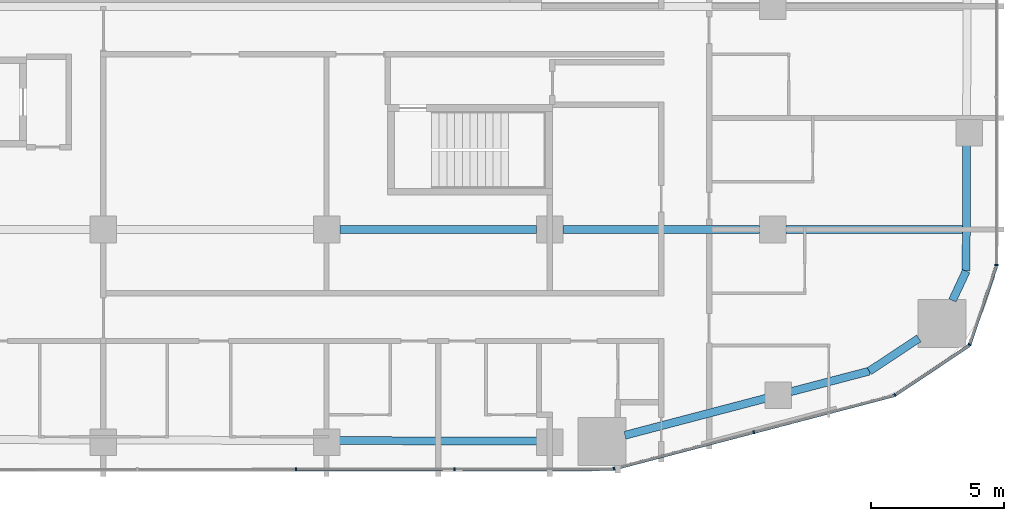
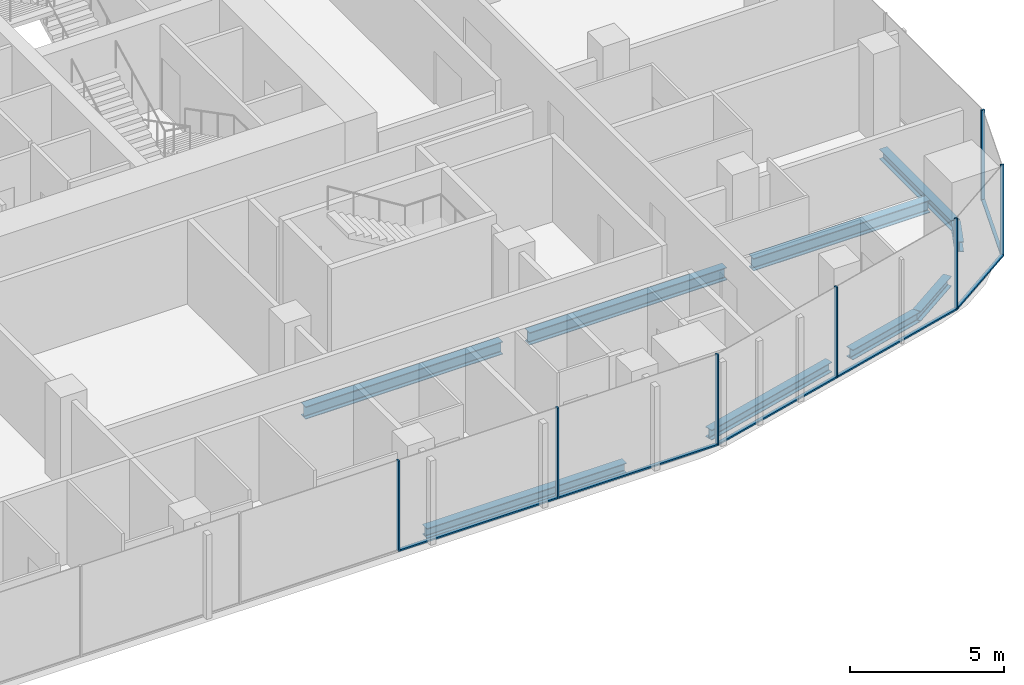
# One storey, part 6 of 26: 13 members, 9 beams, 5 elements without a shape of their own.
"""IFC4 building model written with IfcOpenShell, lengths in metres."""

from ifc_helpers import new_model, si_unit, direction, frame, origin, origin_2d, place, context, subcontext, project, spatial, rectangle, i_section, extrude, material, layer, layer_set, material_profile, profile_set, type_object, element, aggregate, save


model = new_model("IFC4")

# Units and contexts
model_context = context("Model", 3, precision=1e-05, world=origin(), true_north=direction((0.0, 1.0)))
body_context = subcontext(model_context, "Body", "Model", "MODEL_VIEW")
ifc_project = project(units=[si_unit("LENGTHUNIT", "METRE"), si_unit("AREAUNIT", "SQUARE_METRE"), si_unit("VOLUMEUNIT", "CUBIC_METRE"), si_unit("PLANEANGLEUNIT", "RADIAN"), si_unit("MASSUNIT", "GRAM", prefix="KILO")], contexts=[model_context])

# Site, building, storey
site_placement = place(None, origin())
site = spatial("IfcSite", under=ifc_project, at=site_placement, CompositionType="ELEMENT")
building_placement = place(site_placement, origin())
building = spatial("IfcBuilding", under=site, at=building_placement, Name="Marenta Gate Hotel Tower", CompositionType="ELEMENT")
storey_placement = place(building_placement, frame((0.0, 0.0, 72.5)))
storey = spatial("IfcBuildingStorey", under=building, at=storey_placement, Name="L16", CompositionType="ELEMENT", Elevation=72.5)

# Beams
ifc_material_1 = material(Name="Steel S355", Category="steel")
ifc_material_profile_1 = material_profile(ifc_material_1, i_section(OverallWidth=0.300048828125, OverallDepth=0.39990234375, WebThickness=0.013427734375, FlangeThickness=0.02392578125, FilletRadius=0.027099609375, at=origin_2d()), Name="HEB 400")
ifc_profile_set_1 = profile_set([ifc_material_profile_1], Name="Steel S355")
beam_type_1 = type_object("IfcBeamType", Name="Edge beam HEB 400", PredefinedType="SPANDREL", material=ifc_profile_set_1)
beam_1_placement = place(storey_placement, frame((28.291015625, -5.2119140625, -0.4599609375), z_axis=(-0.003337079684, -0.999994431934, 0.0), x_axis=(0.999994431934, -0.003337079684, 0.0)))
element("IfcBeam", 1, at=beam_1_placement, inside=storey, type_object=beam_type_1, Name="L16-EB-27", PredefinedType="SPANDREL", context=body_context, shape_type="SweptSolid", body=[
    extrude(i_section(OverallWidth=0.300048828125, OverallDepth=0.39990234375, WebThickness=0.013427734375, FlangeThickness=0.02392578125, FilletRadius=0.027099609375, at=origin_2d()), origin(), (0.0, 0.0, 1.0), 4.75537109375),
])
beam_2_placement = place(storey_placement, frame((28.275146484375, -9.96728515625, -0.4599609375), z_axis=(-0.423291965192, -0.905993329006, 0.0), x_axis=(0.905993329006, -0.423291965192, 0.0)))
element("IfcBeam", 2, at=beam_2_placement, inside=storey, type_object=beam_type_1, Name="L16-EB-28", PredefinedType="SPANDREL", context=body_context, shape_type="SweptSolid", body=[
    extrude(i_section(OverallWidth=0.300048828125, OverallDepth=0.39990234375, WebThickness=0.013427734375, FlangeThickness=0.02392578125, FilletRadius=0.027099609375, at=origin_2d()), origin(), (0.0, 0.0, 1.0), 1.21630859375),
])
beam_3_placement = place(storey_placement, frame((26.496337890625, -12.498291015625, -0.4599609375), z_axis=(-0.834510054819, -0.550992711754, 0.0), x_axis=(0.550992711754, -0.834510054819, 0.0)))
element("IfcBeam", 3, at=beam_3_placement, inside=storey, type_object=beam_type_1, Name="L16-EB-29", PredefinedType="SPANDREL", context=body_context, shape_type="SweptSolid", body=[
    extrude(i_section(OverallWidth=0.300048828125, OverallDepth=0.39990234375, WebThickness=0.013427734375, FlangeThickness=0.02392578125, FilletRadius=0.027099609375, at=origin_2d()), origin(), (0.0, 0.0, 1.0), 2.237060546875),
])
beam_4_placement = place(storey_placement, frame((24.62939453125, -13.73095703125, -0.4599609375), z_axis=(-0.967228272573, -0.253908386501, 0.0), x_axis=(0.253908386501, -0.967228272573, 0.0)))
element("IfcBeam", 4, at=beam_4_placement, inside=storey, type_object=beam_type_1, Name="L16-EB-30", PredefinedType="SPANDREL", context=body_context, shape_type="SweptSolid", body=[
    extrude(i_section(OverallWidth=0.300048828125, OverallDepth=0.39990234375, WebThickness=0.013427734375, FlangeThickness=0.02392578125, FilletRadius=0.027099609375, at=origin_2d()), origin(), (0.0, 0.0, 1.0), 3.0615234375),
])
beam_5_placement = place(storey_placement, frame((20.74560546875, -14.75048828125, -0.4599609375), z_axis=(-0.967231374294, -0.253896570638, 0.0), x_axis=(0.253896570638, -0.967231374294, 0.0)))
element("IfcBeam", 5, at=beam_5_placement, inside=storey, type_object=beam_type_1, Name="L16-EB-31", PredefinedType="SPANDREL", context=body_context, shape_type="SweptSolid", body=[
    extrude(i_section(OverallWidth=0.300048828125, OverallDepth=0.39990234375, WebThickness=0.013427734375, FlangeThickness=0.02392578125, FilletRadius=0.027099609375, at=origin_2d()), origin(), (0.0, 0.0, 1.0), 5.498291015625),
])
beam_6_placement = place(storey_placement, frame((12.139892578125, -16.365966796875, -0.4599609375), z_axis=(-0.99999624158, 0.002741683018, 0.0), x_axis=(-0.002741683018, -0.99999624158, 0.0)))
element("IfcBeam", 6, at=beam_6_placement, inside=storey, type_object=beam_type_1, Name="L16-EB-32", PredefinedType="SPANDREL", context=body_context, shape_type="SweptSolid", body=[
    extrude(i_section(OverallWidth=0.300048828125, OverallDepth=0.39990234375, WebThickness=0.013427734375, FlangeThickness=0.02392578125, FilletRadius=0.027099609375, at=origin_2d()), origin(), (0.0, 0.0, 1.0), 7.47998046875),
])
ifc_material_2 = material(Name="Steel S355", Category="steel")
ifc_material_profile_2 = material_profile(ifc_material_2, i_section(OverallWidth=0.300048828125, OverallDepth=0.5, WebThickness=0.014404296875, FlangeThickness=0.028076171875, FilletRadius=0.027099609375, at=origin_2d()), Name="HEB 500")
ifc_profile_set_2 = profile_set([ifc_material_profile_2], Name="Steel S355")
beam_type_2 = type_object("IfcBeamType", Name="Girder HEB 500", PredefinedType="BEAM", material=ifc_profile_set_2)
beam_7_placement = place(storey_placement, frame((4.699951171875, -8.39990234375, -0.510009765625), z_axis=(1.0, 0.0, 0.0), x_axis=(0.0, 1.0, 0.0)))
element("IfcBeam", 7, at=beam_7_placement, inside=storey, type_object=beam_type_2, Name="L16-GD-5", PredefinedType="BEAM", context=body_context, shape_type="SweptSolid", body=[
    extrude(i_section(OverallWidth=0.300048828125, OverallDepth=0.5, WebThickness=0.014404296875, FlangeThickness=0.028076171875, FilletRadius=0.027099609375, at=origin_2d()), origin(), (0.0, 0.0, 1.0), 7.400146484375),
])
beam_8_placement = place(storey_placement, frame((13.10009765625, -8.39990234375, -0.510009765625), z_axis=(1.0, 0.0, 0.0), x_axis=(0.0, 1.0, 0.0)))
element("IfcBeam", 8, at=beam_8_placement, inside=storey, type_object=beam_type_2, Name="L16-GD-6", PredefinedType="BEAM", context=body_context, shape_type="SweptSolid", body=[
    extrude(i_section(OverallWidth=0.300048828125, OverallDepth=0.5, WebThickness=0.014404296875, FlangeThickness=0.028076171875, FilletRadius=0.027099609375, at=origin_2d()), origin(), (0.0, 0.0, 1.0), 7.39990234375),
])
beam_9_placement = place(storey_placement, frame((21.5, -8.39990234375, -0.510009765625), z_axis=(1.0, 0.0, 0.0), x_axis=(0.0, 1.0, 0.0)))
element("IfcBeam", 9, at=beam_9_placement, inside=storey, type_object=beam_type_2, Name="L16-GD-7", PredefinedType="BEAM", context=body_context, shape_type="SweptSolid", body=[
    extrude(i_section(OverallWidth=0.300048828125, OverallDepth=0.5, WebThickness=0.014404296875, FlangeThickness=0.028076171875, FilletRadius=0.027099609375, at=origin_2d()), origin(), (0.0, 0.0, 1.0), 6.63037109375),
])

# Curtain wall, members
ifc_material_3 = material(Name="Tinted insulated glass in bronze anodised frame", Category="glass")
ifc_layer = layer(ifc_material_3, 0.1201171875)
ifc_layer_set = layer_set([ifc_layer], Name="Tinted insulated glass in bronze anodised frame")
curtain_wall_type = type_object("IfcCurtainWallType", Name="Tower unitised curtain wall CW1", PredefinedType="NOTDEFINED", material=ifc_layer_set)
curtain_wall_1_placement = place(storey_placement, origin())
curtain_wall_1 = element("IfcCurtainWall", 10, at=curtain_wall_1_placement, inside=storey, type_object=curtain_wall_type, Name="CW1 run G07", PredefinedType="NOTDEFINED")
ifc_material_4 = material(Name="Bronze anodised aluminium", Category="aluminium")
ifc_material_profile_3 = material_profile(ifc_material_4, rectangle(XDim=0.1201171875, YDim=0.06005859375, at=origin_2d()), Name="Mullion CW1 60x120 bronze anodised aluminium")
ifc_profile_set_3 = profile_set([ifc_material_profile_3], Name="Bronze anodised aluminium")
member_type_1 = type_object("IfcMemberType", Name="Mullion CW1 60x120 bronze anodised aluminium", PredefinedType="MULLION", material=ifc_profile_set_3)
member_1_placement = place(storey_placement, frame((3.048095703125, -17.427001953125, 0.0), z_axis=(0.0, 0.0, 1.0), x_axis=(-0.001161921639, 0.999999324969, 0.0)))
member_1 = element("IfcMember", 11, at=member_1_placement, type_object=member_type_1, Name="CW1 mullion 4", PredefinedType="MULLION", context=body_context, shape_type="SweptSolid", body=[
    extrude(rectangle(XDim=0.1201171875, YDim=0.06005859375, at=origin_2d()), origin(), (0.0, 0.0, 1.0), 3.60009765625),
])
member_2_placement = place(storey_placement, frame((9.020751953125, -17.419921875, 0.0), z_axis=(0.0, 0.0, 1.0), x_axis=(-0.001161921639, 0.999999324969, 0.0)))
member_2 = element("IfcMember", 12, at=member_2_placement, type_object=member_type_1, Name="CW1 mullion 5", PredefinedType="MULLION", context=body_context, shape_type="SweptSolid", body=[
    extrude(rectangle(XDim=0.1201171875, YDim=0.06005859375, at=origin_2d()), origin(), (0.0, 0.0, 1.0), 3.60009765625),
])

curtain_wall_2_placement = place(storey_placement, origin())
curtain_wall_2 = element("IfcCurtainWall", 13, at=curtain_wall_2_placement, inside=storey, type_object=curtain_wall_type, Name="CW1 run G08", PredefinedType="NOTDEFINED")
member_3_placement = place(storey_placement, frame((15.022705078125, -17.405517578125, 0.0), z_axis=(0.0, 0.0, 1.0), x_axis=(-0.25337182621, 0.967368966674, 0.0)))
member_3 = element("IfcMember", 14, at=member_3_placement, type_object=member_type_1, Name="CW1 mullion 1", PredefinedType="MULLION", context=body_context, shape_type="SweptSolid", body=[
    extrude(rectangle(XDim=0.1201171875, YDim=0.06005859375, at=origin_2d()), origin(), (0.0, 0.0, 1.0), 3.60009765625),
])
member_4_placement = place(storey_placement, frame((20.28076171875, -16.0283203125, 0.0), z_axis=(0.0, 0.0, 1.0), x_axis=(-0.25337182621, 0.967368966674, 0.0)))
member_4 = element("IfcMember", 15, at=member_4_placement, type_object=member_type_1, Name="CW1 mullion 2", PredefinedType="MULLION", context=body_context, shape_type="SweptSolid", body=[
    extrude(rectangle(XDim=0.1201171875, YDim=0.06005859375, at=origin_2d()), origin(), (0.0, 0.0, 1.0), 3.60009765625),
])

# Curtain wall, member
curtain_wall_3_placement = place(storey_placement, origin())
curtain_wall_3 = element("IfcCurtainWall", 16, at=curtain_wall_3_placement, inside=storey, type_object=curtain_wall_type, Name="CW1 run G09", PredefinedType="NOTDEFINED")
member_5_placement = place(storey_placement, frame((25.592529296875, -14.626953125, 0.0), z_axis=(0.0, 0.0, 1.0), x_axis=(-0.554034324326, 0.832493824282, 0.0)))
member_5 = element("IfcMember", 17, at=member_5_placement, type_object=member_type_1, Name="CW1 mullion 1", PredefinedType="MULLION", context=body_context, shape_type="SweptSolid", body=[
    extrude(rectangle(XDim=0.1201171875, YDim=0.06005859375, at=origin_2d()), origin(), (0.0, 0.0, 1.0), 3.60009765625),
])

curtain_wall_4_placement = place(storey_placement, origin())
curtain_wall_4 = element("IfcCurtainWall", 18, at=curtain_wall_4_placement, inside=storey, type_object=curtain_wall_type, Name="CW1 run G10", PredefinedType="NOTDEFINED")
member_6_placement = place(storey_placement, frame((28.405517578125, -12.73291015625, 0.0), z_axis=(0.0, 0.0, 1.0), x_axis=(-0.946729939312, 0.322028604337, 0.0)))
member_6 = element("IfcMember", 19, at=member_6_placement, type_object=member_type_1, Name="CW1 mullion 1", PredefinedType="MULLION", context=body_context, shape_type="SweptSolid", body=[
    extrude(rectangle(XDim=0.1201171875, YDim=0.06005859375, at=origin_2d()), origin(), (0.0, 0.0, 1.0), 3.60009765625),
])

curtain_wall_5_placement = place(storey_placement, origin())
curtain_wall_5 = element("IfcCurtainWall", 20, at=curtain_wall_5_placement, inside=storey, type_object=curtain_wall_type, Name="CW1 run G11", PredefinedType="NOTDEFINED")
member_7_placement = place(storey_placement, frame((29.4140625, -9.738037109375, 0.0), z_axis=(0.0, 0.0, 1.0), x_axis=(-1.0, 0.0, 0.0)))
member_7 = element("IfcMember", 21, at=member_7_placement, type_object=member_type_1, Name="CW1 mullion 1", PredefinedType="MULLION", context=body_context, shape_type="SweptSolid", body=[
    extrude(rectangle(XDim=0.1201171875, YDim=0.06005859375, at=origin_2d()), origin(), (0.0, 0.0, 1.0), 3.60009765625),
])
aggregate(curtain_wall_5, [member_7])

# Member
ifc_material_5 = material(Name="Bronze anodised aluminium", Category="aluminium")
ifc_material_profile_4 = material_profile(ifc_material_5, rectangle(XDim=0.1201171875, YDim=0.06005859375, at=origin_2d()), Name="Transom CW1 60x120 bronze anodised aluminium")
ifc_profile_set_4 = profile_set([ifc_material_profile_4], Name="Bronze anodised aluminium")
member_type_2 = type_object("IfcMemberType", Name="Transom CW1 60x120 bronze anodised aluminium", PredefinedType="USERDEFINED", material=ifc_profile_set_4)
member_8_placement = place(storey_placement, frame((3.077880859375, -17.427001953125, 0.030029296875), z_axis=(0.999999331697, 0.001156116326, 0.0), x_axis=(-0.001156116326, 0.999999331697, 0.0)))
member_8 = element("IfcMember", 22, at=member_8_placement, type_object=member_type_2, Name="CW1 transom 4.1", ObjectType="TRANSOM", PredefinedType="USERDEFINED", context=body_context, shape_type="SweptSolid", body=[
    extrude(rectangle(XDim=0.1201171875, YDim=0.06005859375, at=origin_2d()), origin(), (0.0, 0.0, 1.0), 5.912841796875),
])

member_9_placement = place(storey_placement, frame((9.05078125, -17.419921875, 0.030029296875), z_axis=(0.999999338434, 0.001150274483, 0.0), x_axis=(-0.001150274483, 0.999999338434, 0.0)))
member_9 = element("IfcMember", 23, at=member_9_placement, type_object=member_type_2, Name="CW1 transom 5.1", ObjectType="TRANSOM", PredefinedType="USERDEFINED", context=body_context, shape_type="SweptSolid", body=[
    extrude(rectangle(XDim=0.1201171875, YDim=0.06005859375, at=origin_2d()), origin(), (0.0, 0.0, 1.0), 5.94287109375),
])

aggregate(curtain_wall_1, [member_1, member_2, member_8, member_9])

member_10_placement = place(storey_placement, frame((15.0517578125, -17.39794921875, 0.030029296875), z_axis=(0.96736453676, 0.253388738935, 0.0), x_axis=(-0.253388738935, 0.96736453676, 0.0)))
member_10 = element("IfcMember", 24, at=member_10_placement, type_object=member_type_2, Name="CW1 transom 1.1", ObjectType="TRANSOM", PredefinedType="USERDEFINED", context=body_context, shape_type="SweptSolid", body=[
    extrude(rectangle(XDim=0.1201171875, YDim=0.06005859375, at=origin_2d()), origin(), (0.0, 0.0, 1.0), 5.37548828125),
])

member_11_placement = place(storey_placement, frame((20.3095703125, -16.020751953125, 0.030029296875), z_axis=(0.967368291574, 0.253374403713, 0.0), x_axis=(-0.253374403713, 0.967368291574, 0.0)))
member_11 = element("IfcMember", 25, at=member_11_placement, type_object=member_type_2, Name="CW1 transom 2.1", ObjectType="TRANSOM", PredefinedType="USERDEFINED", context=body_context, shape_type="SweptSolid", body=[
    extrude(rectangle(XDim=0.1201171875, YDim=0.06005859375, at=origin_2d()), origin(), (0.0, 0.0, 1.0), 5.435302734375),
])

aggregate(curtain_wall_2, [member_3, member_4, member_10, member_11])

member_12_placement = place(storey_placement, frame((25.617431640625, -14.6103515625, 0.030029296875), z_axis=(0.832511449854, 0.554007839169, 0.0), x_axis=(-0.554007839169, 0.832511449854, 0.0)))
member_12 = element("IfcMember", 26, at=member_12_placement, type_object=member_type_2, Name="CW1 transom 1.1", ObjectType="TRANSOM", PredefinedType="USERDEFINED", context=body_context, shape_type="SweptSolid", body=[
    extrude(rectangle(XDim=0.1201171875, YDim=0.06005859375, at=origin_2d()), origin(), (0.0, 0.0, 1.0), 3.337158203125),
])

aggregate(curtain_wall_3, [member_5, member_12])

member_13_placement = place(storey_placement, frame((28.4150390625, -12.70458984375, 0.030029296875), z_axis=(0.3220776996, 0.94671323822, 0.0), x_axis=(-0.94671323822, 0.3220776996, 0.0)))
member_13 = element("IfcMember", 27, at=member_13_placement, type_object=member_type_2, Name="CW1 transom 1.1", ObjectType="TRANSOM", PredefinedType="USERDEFINED", context=body_context, shape_type="SweptSolid", body=[
    extrude(rectangle(XDim=0.1201171875, YDim=0.06005859375, at=origin_2d()), origin(), (0.0, 0.0, 1.0), 3.101806640625),
])

aggregate(curtain_wall_4, [member_6, member_13])

save(model, "model.ifc")
